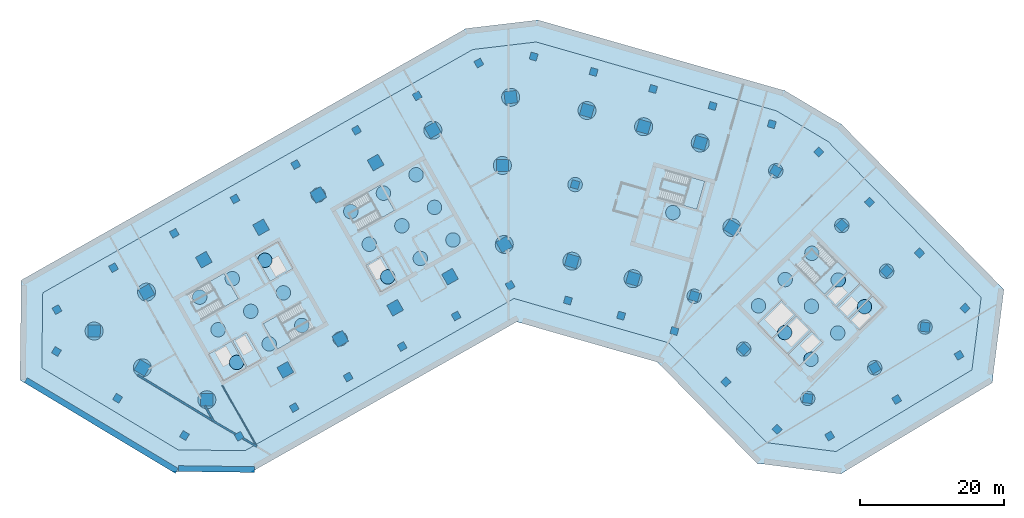
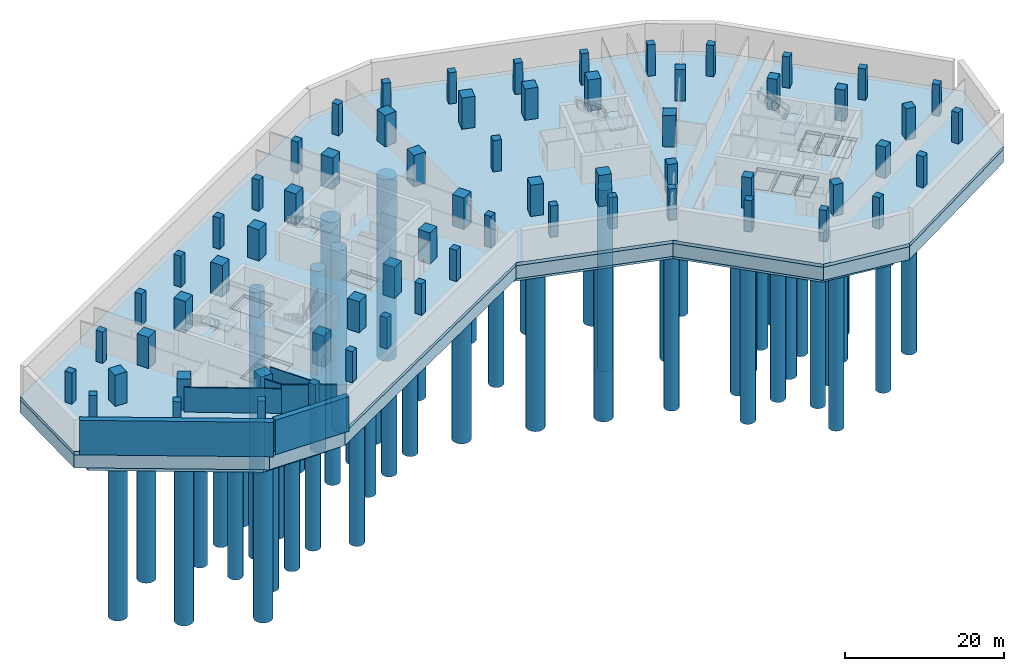
# One storey, part 1 of 11: 65 columns, 53 piles, 7 walls, 6 slabs, 2 footings, 5 elements without a shape of their own.
"""IFC4 building model written with IfcOpenShell, lengths in metres."""

from ifc_helpers import new_model, si_unit, direction, frame, frame_2d, origin, origin_2d, place, context, subcontext, project, spatial, polyline, rectangle, circle, outline, extrude, material, layer, layer_set, material_profile, profile_set, type_object, element, aggregate, save


model = new_model("IFC4")

# Units and contexts
model_context = context("Model", 3, precision=1e-05, world=origin(), true_north=direction((0.0, 1.0)))
body_context = subcontext(model_context, "Body", "Model", "MODEL_VIEW")
ifc_project = project(units=[si_unit("LENGTHUNIT", "METRE"), si_unit("AREAUNIT", "SQUARE_METRE"), si_unit("VOLUMEUNIT", "CUBIC_METRE"), si_unit("PLANEANGLEUNIT", "RADIAN"), si_unit("MASSUNIT", "GRAM", prefix="KILO")], contexts=[model_context])

# Site, building, storey
site_placement = place(None, origin())
site = spatial("IfcSite", under=ifc_project, at=site_placement, CompositionType="ELEMENT")
building_placement = place(site_placement, origin())
building = spatial("IfcBuilding", under=site, at=building_placement, Name="Binnacle Exchange Tower", CompositionType="ELEMENT")
storey_placement = place(building_placement, frame((0.0, 0.0, -9.60009765625)))
storey = spatial("IfcBuildingStorey", under=building, at=storey_placement, Name="B2", CompositionType="ELEMENT", Elevation=-9.60009765625)

# Piles
ifc_material_1 = material(Name="Concrete C40/50", Category="concrete")
ifc_material_profile_1 = material_profile(ifc_material_1, circle(Radius=1.0, at=origin_2d()), Name="Bored pile D2000")
ifc_profile_set_1 = profile_set([ifc_material_profile_1], Name="Concrete C40/50")
pile_type_1 = type_object("IfcPileType", Name="Bored pile D2000 Concrete C40/50", PredefinedType="BORED", material=ifc_profile_set_1)
for number, where, z_axis, x_axis, name in (
    (1, (9.240966796875, 57.35009765625, -5.0), (0.0, 0.0, -1.0), (1.0, 0.0, 0.0), "S:PI:P001"),
    (2, (-42.85009765625, 41.731201171875, -5.0), (0.0, 0.0, -1.0), (1.0, 0.0, 0.0), "S:PI:P002"),
    (3, (-40.289306640625, 37.205322265625, -5.0), (0.0, 0.0, -1.0), (1.0, 0.0, 0.0), "S:PI:P003"),
    (4, (-38.32421875, 44.291748046875, -5.0), (0.0, 0.0, -1.0), (1.0, 0.0, 0.0), "S:PI:P004"),
    (5, (-37.728759765625, 32.679443359375, -5.0), (0.0, 0.0, -1.0), (1.0, 0.0, 0.0), "S:PI:P005"),
    (6, (-35.763671875, 39.765869140625, -5.0), (0.0, 0.0, -1.0), (1.0, 0.0, 0.0), "S:PI:P006"),
    (7, (-33.79833984375, 46.852294921875, -5.0), (0.0, 0.0, -1.0), (1.0, 0.0, 0.0), "S:PI:P007"),
    (8, (-33.202880859375, 35.239990234375, -5.0), (0.0, 0.0, -1.0), (1.0, 0.0, 0.0), "S:PI:P008"),
    (9, (-31.23779296875, 42.326416015625, -5.0), (0.0, 0.0, -1.0), (1.0, 0.0, 0.0), "S:PI:P009"),
    (10, (-28.677001953125, 37.80078125, -5.0), (0.0, 0.0, -1.0), (1.0, 0.0, 0.0), "S:PI:P010"),
    (11, (34.684326171875, 40.524169921875, -5.0), (0.0, 0.0, -1.0), (1.0, 0.0, 0.0), "S:PI:P011"),
    (12, (38.3291015625, 36.815185546875, -5.0), (0.0, 0.0, -1.0), (1.0, 0.0, 0.0), "S:PI:P012"),
    (13, (38.393310546875, 44.168701171875, -5.0), (0.0, 0.0, -1.0), (1.0, 0.0, 0.0), "S:PI:P013"),
    (14, (41.9736328125, 33.106201171875, -5.0), (0.0, 0.0, -1.0), (1.0, 0.0, 0.0), "S:PI:P014"),
    (15, (42.037841796875, 40.4599609375, -5.0), (0.0, 0.0, -1.0), (1.0, 0.0, 0.0), "S:PI:P015"),
    (16, (42.10205078125, 47.8134765625, -5.0), (0.0, 0.0, -1.0), (1.0, 0.0, 0.0), "S:PI:P016"),
    (17, (45.6826171875, 36.7509765625, -5.0), (0.0, 0.0, -1.0), (1.0, 0.0, 0.0), "S:PI:P017"),
    (18, (45.746826171875, 44.1044921875, -5.0), (0.0, 0.0, -1.0), (1.0, 0.0, 0.0), "S:PI:P018"),
    (19, (49.3916015625, 40.395751953125, -5.0), (0.0, 0.0, -1.0), (1.0, 0.0, 0.0), "S:PI:P019"),
    (20, (-21.882568359375, 53.593994140625, -5.0), (0.0, 0.0, -1.0), (1.0, 0.0, 0.0), "S:PI:P020"),
    (21, (-19.322021484375, 49.068115234375, -5.0), (0.0, 0.0, -1.0), (1.0, 0.0, 0.0), "S:PI:P021"),
    (22, (-17.356689453125, 56.15478515625, -5.0), (0.0, 0.0, -1.0), (1.0, 0.0, 0.0), "S:PI:P022"),
    (23, (-16.76123046875, 44.542236328125, -5.0), (0.0, 0.0, -1.0), (1.0, 0.0, 0.0), "S:PI:P023"),
    (24, (-14.7958984375, 51.62890625, -5.0), (0.0, 0.0, -1.0), (1.0, 0.0, 0.0), "S:PI:P024"),
    (25, (-12.830810546875, 58.71533203125, -5.0), (0.0, 0.0, -1.0), (1.0, 0.0, 0.0), "S:PI:P025"),
    (26, (-12.2353515625, 47.10302734375, -5.0), (0.0, 0.0, -1.0), (1.0, 0.0, 0.0), "S:PI:P026"),
    (27, (-10.270263671875, 54.189453125, -5.0), (0.0, 0.0, -1.0), (1.0, 0.0, 0.0), "S:PI:P027"),
    (28, (-7.709716796875, 49.66357421875, -5.0), (0.0, 0.0, -1.0), (1.0, 0.0, 0.0), "S:PI:P028"),
    (29, (22.807373046875, 53.460205078125, -5.0), (0.0, 0.0, -1.0), (1.0, 0.0, 0.0), "S:PI:P029"),
    (30, (-23.35595703125, 35.9462890625, -5.0), (0.0, 0.0, -1.0), (1.0, 0.0, 0.0), "S:PI:P034"),
    (31, (-26.3876953125, 55.91015625, -5.0), (0.0, 0.0, -1.0), (1.0, 0.0, 0.0), "S:PI:P035"),
    (32, (25.766845703125, 41.85986328125, -5.0), (0.0, 0.0, -1.0), (1.0, 0.0, 0.0), "S:PI:P046"),
    (33, (37.0849609375, 59.262451171875, -5.0), (0.0, 0.0, -1.0), (1.0, 0.0, 0.0), "S:PI:P047"),
    (34, (46.248291015625, 51.667236328125, -5.0), (0.0, 0.0, -1.0), (1.0, 0.0, 0.0), "S:PI:P048"),
    (35, (32.64111328125, 34.530029296875, -5.0), (0.0, 0.0, -1.0), (1.0, 0.0, 0.0), "S:PI:P049"),
    (36, (52.466796875, 45.33935546875, -5.0), (0.0, 0.0, -1.0), (1.0, 0.0, 0.0), "S:PI:P050"),
    (37, (41.519775390625, 27.6748046875, -5.0), (0.0, 0.0, -1.0), (1.0, 0.0, 0.0), "S:PI:P051"),
    (38, (57.799072265625, 37.5810546875, -5.0), (0.0, 0.0, -1.0), (1.0, 0.0, 0.0), "S:PI:P052"),
    (39, (50.81201171875, 31.930908203125, -5.0), (0.0, 0.0, -1.0), (1.0, 0.0, 0.0), "S:PI:P053"),
):
    element("IfcPile", number, at=place(storey_placement, frame(where, z_axis=z_axis, x_axis=x_axis)), inside=storey, type_object=pile_type_1, Name=name, PredefinedType="BORED", context=body_context, shape_type="SweptSolid", body=[
        extrude(circle(Radius=1.0, at=origin_2d()), origin(), (0.0, 0.0, 1.0), 27.89990234375),
    ])
ifc_material_profile_2 = material_profile(ifc_material_1, circle(Radius=1.25, at=origin_2d()), Name="Bored pile D2500")
ifc_profile_set_2 = profile_set([ifc_material_profile_2], Name="Concrete C40/50")
pile_type_2 = type_object("IfcPileType", Name="Bored pile D2500 Concrete C40/50", PredefinedType="BORED", material=ifc_profile_set_2)
for number, where, z_axis, x_axis, name in (
    (40, (-50.81201171875, 31.930908203125, -5.0), (0.0, 0.0, -1.0), (1.0, 0.0, 0.0), "S:PI:P030"),
    (41, (-57.492919921875, 37.02734375, -5.0), (0.0, 0.0, -1.0), (1.0, 0.0, 0.0), "S:PI:P031"),
    (42, (-41.857666015625, 27.494873046875, -5.0), (0.0, 0.0, -1.0), (1.0, 0.0, 0.0), "S:PI:P032"),
    (43, (-50.226318359375, 42.4228515625, -5.0), (0.0, 0.0, -1.0), (1.0, 0.0, 0.0), "S:PI:P033"),
    (44, (-10.4951171875, 64.901611328125, -5.0), (0.0, 0.0, -1.0), (1.0, 0.0, 0.0), "S:PI:P036"),
    (45, (-0.85009765625, 60.0, -5.0), (0.0, 0.0, -1.0), (1.0, 0.0, 0.0), "S:PI:P037"),
    (46, (-0.5908203125, 49.04443359375, -5.0), (0.0, 0.0, -1.0), (1.0, 0.0, 0.0), "S:PI:P038"),
    (47, (0.300048828125, 69.464111328125, -5.0), (0.0, 0.0, -1.0), (1.0, 0.0, 0.0), "S:PI:P039"),
    (48, (10.889892578125, 67.62890625, -5.0), (0.0, 0.0, -1.0), (1.0, 0.0, 0.0), "S:PI:P040"),
    (49, (8.8095703125, 46.722412109375, -5.0), (0.0, 0.0, -1.0), (1.0, 0.0, 0.0), "S:PI:P041"),
    (50, (18.746337890625, 65.376220703125, -5.0), (0.0, 0.0, -1.0), (1.0, 0.0, 0.0), "S:PI:P042"),
    (51, (17.2880859375, 44.291015625, -5.0), (0.0, 0.0, -1.0), (1.0, 0.0, 0.0), "S:PI:P043"),
    (52, (26.602783203125, 63.12353515625, -5.0), (0.0, 0.0, -1.0), (1.0, 0.0, 0.0), "S:PI:P044"),
    (53, (30.989501953125, 51.38623046875, -5.0), (0.0, 0.0, -1.0), (1.0, 0.0, 0.0), "S:PI:P045"),
):
    element("IfcPile", number, at=place(storey_placement, frame(where, z_axis=z_axis, x_axis=x_axis)), inside=storey, type_object=pile_type_2, Name=name, PredefinedType="BORED", context=body_context, shape_type="SweptSolid", body=[
        extrude(circle(Radius=1.25, at=origin_2d()), origin(), (0.0, 0.0, 1.0), 27.89990234375),
    ])

# Footings
ifc_material_2 = material(Name="Concrete C45/55", Category="concrete")
ifc_layer_1 = layer(ifc_material_2, 2.0)
ifc_layer_set_1 = layer_set([ifc_layer_1], Name="Raft footing 2000 Concrete C45/55")
footing_type_1 = type_object("IfcFootingType", Name="Raft footing 2000 Concrete C45/55", PredefinedType="PAD_FOOTING", material=ifc_layer_set_1)
footing_1_placement = place(storey_placement, frame((0.0, 0.0, -2.5)))
element("IfcFooting", 54, at=footing_1_placement, inside=storey, type_object=footing_type_1, Name="S:FT:podium", PredefinedType="PAD_FOOTING", context=body_context, shape_type="SweptSolid", body=[
    extrude(outline(polyline([(68.74169921875, 42.773681640625), (67.093017578125, 29.81396484375), (46.104248046875, 17.20263671875), (34.458984375, 18.68408203125), (20.677734375, 32.7080078125), (1.147216796875, 38.308349609375), (-35.783203125, 17.414306640625), (-46.6943359375, 17.55712890625), (-67.782958984375, 30.228515625), (-67.601318359375, 44.093505859375), (-5.902099609375, 79.001220703125), (4.104736328125, 80.185791015625), (38.390380859375, 70.3544921875), (46.210205078125, 65.7021484375), (68.74169921875, 42.773681640625)]), holes=[polyline([(44.342529296875, 63.322509765625), (37.190185546875, 67.57763671875), (3.85791015625, 77.135498046875), (-4.9501953125, 76.093017578125), (-64.624267578125, 42.3310546875), (-64.760498046875, 31.912353515625), (-45.84423828125, 20.546142578125), (-36.5546875, 20.424560546875), (0.7646484375, 41.538818359375), (22.263916015625, 35.374267578125), (35.86962890625, 21.52880859375), (45.450927734375, 20.309814453125), (64.30078125, 31.635986328125), (65.582275390625, 41.708984375), (44.342529296875, 63.322509765625)])]), origin(), (0.0, 0.0, 1.0), 2.0),
])
ifc_layer_2 = layer(ifc_material_2, 4.5)
ifc_layer_set_2 = layer_set([ifc_layer_2], Name="Raft footing 4500 Concrete C45/55")
footing_type_2 = type_object("IfcFootingType", Name="Raft footing 4500 Concrete C45/55", PredefinedType="PAD_FOOTING", material=ifc_layer_set_2)
footing_2_placement = place(storey_placement, frame((0.0, 0.0, -5.0)))
element("IfcFooting", 55, at=footing_2_placement, inside=storey, type_object=footing_type_2, Name="S:FT:tower", PredefinedType="PAD_FOOTING", context=body_context, shape_type="SweptSolid", body=[
    extrude(outline(polyline([(65.582275390625, 41.708984375), (64.30078125, 31.635986328125), (45.450927734375, 20.309814453125), (35.86962890625, 21.52880859375), (22.263916015625, 35.374267578125), (0.7646484375, 41.538818359375), (-36.5546875, 20.424560546875), (-45.84423828125, 20.546142578125), (-64.760498046875, 31.912353515625), (-64.624267578125, 42.3310546875), (-4.9501953125, 76.093017578125), (3.85791015625, 77.135498046875), (37.190185546875, 67.57763671875), (44.342529296875, 63.322509765625), (65.582275390625, 41.708984375)])), origin(), (0.0, 0.0, 1.0), 4.5),
])

# Columns
ifc_material_3 = material(Name="Concrete C60/75", Category="concrete")
ifc_material_profile_3 = material_profile(ifc_material_3, rectangle(XDim=1.10009765625, YDim=1.10009765625, at=origin_2d()), Name="Column 1100x1100 C60/75")
ifc_profile_set_3 = profile_set([ifc_material_profile_3], Name="Concrete C60/75")
column_type_1 = type_object("IfcColumnType", Name="Column 1100x1100 C60/75", PredefinedType="COLUMN", material=ifc_profile_set_3)
column_placement = place(storey_placement, frame((9.240966796875, 57.35009765625, -0.5), z_axis=(0.0, 0.0, 1.0), x_axis=(0.961261695938, -0.275637355817, 0.0)))
element("IfcColumn", 56, at=column_placement, inside=storey, type_object=column_type_1, Name="S:COL:C19:B2", PredefinedType="COLUMN", context=body_context, shape_type="SweptSolid", body=[
    extrude(rectangle(XDim=1.10009765625, YDim=1.10009765625, at=origin_2d()), origin(), (0.0, 0.0, 1.0), 5.300048828125),
])
ifc_material_4 = material(Name="Concrete C70/85", Category="concrete")
ifc_material_profile_4 = material_profile(ifc_material_4, rectangle(XDim=1.300048828125, YDim=1.300048828125, at=origin_2d()), Name="Mega column 1300x1300 C70/85")
ifc_profile_set_4 = profile_set([ifc_material_profile_4], Name="Concrete C70/85")
column_type_2 = type_object("IfcColumnType", Name="Mega column 1300x1300 C70/85", PredefinedType="COLUMN", material=ifc_profile_set_4)
for number, where, z_axis, x_axis, name in (
    (57, (37.0849609375, 59.262451171875, -0.5), (0.0, 0.0, 1.0), (-0.859406411501, 0.511293086077, 0.0), "S:COL:MC57:B2"),
    (58, (25.766845703125, 41.85986328125, -0.5), (0.0, 0.0, 1.0), (0.961261695938, -0.275637355817, 0.0), "S:COL:MC56:B2"),
    (59, (32.64111328125, 34.530029296875, -0.5), (0.0, 0.0, 1.0), (0.7009092643, -0.713250449154, 0.0), "S:COL:MC59:B2"),
    (60, (41.519775390625, 27.6748046875, -0.5), (0.0, 0.0, 1.0), (0.99200494968, -0.126198969136, 0.0), "S:COL:MC61:B2"),
    (61, (50.81201171875, 31.930908203125, -0.5), (0.0, 0.0, 1.0), (0.857167300702, 0.51503807491, 0.0), "S:COL:MC63:B2"),
    (62, (57.799072265625, 37.5810546875, -0.5), (0.0, 0.0, 1.0), (0.126198969136, 0.99200494968, 0.0), "S:COL:MC62:B2"),
    (63, (52.466796875, 45.33935546875, -0.5), (0.0, 0.0, 1.0), (-0.7009092643, 0.713250449154, 0.0), "S:COL:MC60:B2"),
    (64, (46.248291015625, 51.667236328125, -0.5), (0.0, 0.0, 1.0), (-0.7009092643, 0.713250449154, 0.0), "S:COL:MC58:B2"),
):
    element("IfcColumn", number, at=place(storey_placement, frame(where, z_axis=z_axis, x_axis=x_axis)), inside=storey, type_object=column_type_2, Name=name, PredefinedType="COLUMN", context=body_context, shape_type="SweptSolid", body=[
        extrude(rectangle(XDim=1.300048828125, YDim=1.300048828125, at=origin_2d()), origin(), (0.0, 0.0, 1.0), 5.300048828125),
    ])
ifc_material_profile_5 = material_profile(ifc_material_4, rectangle(XDim=1.699951171875, YDim=1.699951171875, at=origin_2d()), Name="Mega column 1700x1700 C70/85")
ifc_profile_set_5 = profile_set([ifc_material_profile_5], Name="Concrete C70/85")
column_type_3 = type_object("IfcColumnType", Name="Mega column 1700x1700 C70/85", PredefinedType="COLUMN", material=ifc_profile_set_5)
for number, where, z_axis, x_axis, name in (
    (65, (26.602783203125, 63.12353515625, -0.5), (0.0, 0.0, 1.0), (-0.961261695938, 0.275637355817, 0.0), "S:COL:MC52:B2"),
    (66, (18.746337890625, 65.376220703125, -0.5), (0.0, 0.0, 1.0), (-0.961261695938, 0.275637355817, 0.0), "S:COL:MC50:B2"),
    (67, (10.889892578125, 67.62890625, -0.5), (0.0, 0.0, 1.0), (-0.961261695938, 0.275637355817, 0.0), "S:COL:MC48:B2"),
    (68, (0.300048828125, 69.464111328125, -0.5), (0.0, 0.0, 1.0), (-0.993068456955, -0.117537397458, 0.0), "S:COL:MC47:B2"),
    (69, (-10.4951171875, 64.901611328125, -0.5), (0.0, 0.0, 1.0), (-0.87035569594, -0.492423560103, 0.0), "S:COL:MC38:B2"),
    (70, (-18.44140625, 60.406005859375, -0.5), (0.0, 0.0, 1.0), (-0.87035569594, -0.492423560103, 0.0), "S:COL:MC29:B2"),
    (71, (-26.3876953125, 55.91015625, -0.5), (0.0, 0.0, 1.0), (-0.87035569594, -0.492423560103, 0.0), "S:COL:MC21:B2"),
    (72, (-34.333740234375, 51.414306640625, -0.5), (0.0, 0.0, 1.0), (-0.87035569594, -0.492423560103, 0.0), "S:COL:MC13:B2"),
    (73, (-42.280029296875, 46.918701171875, -0.5), (0.0, 0.0, 1.0), (-0.87035569594, -0.492423560103, 0.0), "S:COL:MC08:B2"),
    (74, (-50.226318359375, 42.4228515625, -0.5), (0.0, 0.0, 1.0), (-0.87035569594, -0.492423560103, 0.0), "S:COL:MC04:B2"),
    (75, (-57.492919921875, 37.02734375, -0.5), (0.0, 0.0, 1.0), (-0.013089595571, -0.999914327574, 0.0), "S:COL:MC02:B2"),
    (76, (-50.81201171875, 31.930908203125, -0.5), (0.0, 0.0, 1.0), (0.857167300702, -0.51503807491, 0.0), "S:COL:MC01:B2"),
    (77, (-41.857666015625, 27.494873046875, -0.5), (0.0, 0.0, 1.0), (0.999914327574, -0.013089595571, 0.0), "S:COL:MC03:B2"),
    (78, (-30.9755859375, 31.63525390625, -0.5), (0.0, 0.0, 1.0), (0.87035569594, 0.492423560103, 0.0), "S:COL:MC07:B2"),
    (79, (-23.35595703125, 35.9462890625, -0.5), (0.0, 0.0, 1.0), (0.87035569594, 0.492423560103, 0.0), "S:COL:MC16:B2"),
    (80, (-15.736328125, 40.257080078125, -0.5), (0.0, 0.0, 1.0), (0.87035569594, 0.492423560103, 0.0), "S:COL:MC24:B2"),
    (81, (-8.116943359375, 44.568115234375, -0.5), (0.0, 0.0, 1.0), (0.87035569594, 0.492423560103, 0.0), "S:COL:MC35:B2"),
    (82, (-0.5908203125, 49.04443359375, -0.5), (0.0, 0.0, 1.0), (0.87035569594, 0.492423560103, 0.0), "S:COL:MC46:B2"),
    (83, (8.8095703125, 46.722412109375, -0.5), (0.0, 0.0, 1.0), (0.961261695938, -0.275637355817, 0.0), "S:COL:MC49:B2"),
    (84, (17.2880859375, 44.291015625, -0.5), (0.0, 0.0, 1.0), (0.961261695938, -0.275637355817, 0.0), "S:COL:MC51:B2"),
    (85, (30.989501953125, 51.38623046875, -0.5), (0.0, 0.0, 1.0), (0.529919264233, 0.848048096156, 0.0), "S:COL:MC55:B2"),
    (86, (-0.85009765625, 60.0, -0.5), (0.0, 0.0, 1.0), (0.0, 1.0, 0.0), "S:COL:MC45:B2"),
):
    element("IfcColumn", number, at=place(storey_placement, frame(where, z_axis=z_axis, x_axis=x_axis)), inside=storey, type_object=column_type_3, Name=name, PredefinedType="COLUMN", context=body_context, shape_type="SweptSolid", body=[
        extrude(rectangle(XDim=1.699951171875, YDim=1.699951171875, at=origin_2d()), origin(), (0.0, 0.0, 1.0), 5.300048828125),
    ])
ifc_material_5 = material(Name="Concrete C50/60", Category="concrete")
ifc_material_profile_6 = material_profile(ifc_material_5, rectangle(XDim=1.0, YDim=1.0, at=origin_2d()), Name="Podium column 1000x1000 C50/60")
ifc_profile_set_6 = profile_set([ifc_material_profile_6], Name="Concrete C50/60")
column_type_4 = type_object("IfcColumnType", Name="Podium column 1000x1000 C50/60", PredefinedType="COLUMN", material=ifc_profile_set_6)
for number, where, z_axis, x_axis, name in (
    (87, (36.5283203125, 65.739013671875, -0.5), (0.0, 0.0, 1.0), (-0.961261695938, 0.275637355817, 0.0), "S:COL:C25:B2"),
    (88, (28.31591796875, 68.249755859375, -0.5), (0.0, 0.0, 1.0), (-0.961261695938, 0.275637355817, 0.0), "S:COL:C24:B2"),
    (89, (20.0625, 70.616455078125, -0.5), (0.0, 0.0, 1.0), (-0.961261695938, 0.275637355817, 0.0), "S:COL:C22:B2"),
    (90, (11.808837890625, 72.983154296875, -0.5), (0.0, 0.0, 1.0), (-0.961261695938, 0.275637355817, 0.0), "S:COL:C20:B2"),
    (91, (3.486083984375, 75.109619140625, -0.5), (0.0, 0.0, 1.0), (-0.961261695938, 0.275637355817, 0.0), "S:COL:C18:B2"),
    (92, (-4.115966796875, 74.209716796875, -0.5), (0.0, 0.0, 1.0), (-0.87035569594, -0.492423560103, 0.0), "S:COL:C16:B2"),
    (93, (-12.66748046875, 69.65869140625, -0.5), (0.0, 0.0, 1.0), (-0.87035569594, -0.492423560103, 0.0), "S:COL:C15:B2"),
    (94, (-21.095703125, 64.89013671875, -0.5), (0.0, 0.0, 1.0), (-0.87035569594, -0.492423560103, 0.0), "S:COL:C13:B2"),
    (95, (-29.524169921875, 60.12158203125, -0.5), (0.0, 0.0, 1.0), (-0.87035569594, -0.492423560103, 0.0), "S:COL:C11:B2"),
    (96, (-37.95263671875, 55.35302734375, -0.5), (0.0, 0.0, 1.0), (-0.87035569594, -0.492423560103, 0.0), "S:COL:C10:B2"),
    (97, (-46.381103515625, 50.58447265625, -0.5), (0.0, 0.0, 1.0), (-0.87035569594, -0.492423560103, 0.0), "S:COL:C08:B2"),
    (98, (-54.8095703125, 45.81591796875, -0.5), (0.0, 0.0, 1.0), (-0.87035569594, -0.492423560103, 0.0), "S:COL:C06:B2"),
    (99, (-62.64697265625, 40.0029296875, -0.5), (0.0, 0.0, 1.0), (-0.87035569594, -0.492423560103, 0.0), "S:COL:C05:B2"),
    (100, (-62.722900390625, 34.18798828125, -0.5), (0.0, 0.0, 1.0), (0.857167300702, -0.51503807491, 0.0), "S:COL:C03:B2"),
    (101, (-54.244873046875, 27.69384765625, -0.5), (0.0, 0.0, 1.0), (0.857167300702, -0.51503807491, 0.0), "S:COL:C02:B2"),
    (102, (-44.968505859375, 22.5283203125, -0.5), (0.0, 0.0, 1.0), (0.857167300702, -0.51503807491, 0.0), "S:COL:C01:B2"),
    (103, (-37.378173828125, 22.428955078125, -0.5), (0.0, 0.0, 1.0), (0.87035569594, 0.492423560103, 0.0), "S:COL:C04:B2"),
    (104, (-29.740478515625, 26.4052734375, -0.5), (0.0, 0.0, 1.0), (0.87035569594, 0.492423560103, 0.0), "S:COL:C07:B2"),
    (105, (-22.250732421875, 30.642822265625, -0.5), (0.0, 0.0, 1.0), (0.87035569594, 0.492423560103, 0.0), "S:COL:C09:B2"),
    (106, (-14.760986328125, 34.88037109375, -0.5), (0.0, 0.0, 1.0), (0.87035569594, 0.492423560103, 0.0), "S:COL:C12:B2"),
    (107, (-7.27099609375, 39.117919921875, -0.5), (0.0, 0.0, 1.0), (0.87035569594, 0.492423560103, 0.0), "S:COL:C14:B2"),
    (108, (0.21875, 43.35546875, -0.5), (0.0, 0.0, 1.0), (0.87035569594, 0.492423560103, 0.0), "S:COL:C17:B2"),
    (109, (8.242919921875, 41.26708984375, -0.5), (0.0, 0.0, 1.0), (0.961261695938, -0.275637355817, 0.0), "S:COL:C21:B2"),
    (110, (15.6279296875, 39.1494140625, -0.5), (0.0, 0.0, 1.0), (0.961261695938, -0.275637355817, 0.0), "S:COL:C23:B2"),
    (111, (23.01318359375, 37.031982421875, -0.5), (0.0, 0.0, 1.0), (0.961261695938, -0.275637355817, 0.0), "S:COL:C26:B2"),
    (112, (30.17236328125, 29.9658203125, -0.5), (0.0, 0.0, 1.0), (0.7009092643, -0.713250449154, 0.0), "S:COL:C29:B2"),
    (113, (37.26708984375, 23.38818359375, -0.5), (0.0, 0.0, 1.0), (0.7009092643, -0.713250449154, 0.0), "S:COL:C32:B2"),
    (114, (44.563720703125, 22.4599609375, -0.5), (0.0, 0.0, 1.0), (0.857167300702, 0.51503807491, 0.0), "S:COL:C35:B2"),
    (115, (53.86376953125, 27.52294921875, -0.5), (0.0, 0.0, 1.0), (0.857167300702, 0.51503807491, 0.0), "S:COL:C34:B2"),
    (116, (62.52001953125, 33.65771484375, -0.5), (0.0, 0.0, 1.0), (0.857167300702, 0.51503807491, 0.0), "S:COL:C33:B2"),
    (117, (63.35205078125, 40.197509765625, -0.5), (0.0, 0.0, 1.0), (-0.7009092643, 0.713250449154, 0.0), "S:COL:C31:B2"),
    (118, (57.02197265625, 47.8515625, -0.5), (0.0, 0.0, 1.0), (-0.7009092643, 0.713250449154, 0.0), "S:COL:C30:B2"),
    (119, (50.085693359375, 54.91015625, -0.5), (0.0, 0.0, 1.0), (-0.7009092643, 0.713250449154, 0.0), "S:COL:C28:B2"),
    (120, (43.04248046875, 61.86328125, -0.5), (0.0, 0.0, 1.0), (-0.7009092643, 0.713250449154, 0.0), "S:COL:C27:B2"),
):
    element("IfcColumn", number, at=place(storey_placement, frame(where, z_axis=z_axis, x_axis=x_axis)), inside=storey, type_object=column_type_4, Name=name, PredefinedType="COLUMN", context=body_context, shape_type="SweptSolid", body=[
        extrude(rectangle(XDim=1.0, YDim=1.0, at=origin_2d()), origin(), (0.0, 0.0, 1.0), 5.300048828125),
    ])

# Slab
ifc_material_6 = material(Name="Concrete C35/45", Category="concrete")
ifc_layer_3 = layer(ifc_material_6, 0.5)
ifc_layer_set_3 = layer_set([ifc_layer_3], Name="Base slab 500 Concrete C35/45")
slab_type_1 = type_object("IfcSlabType", Name="Base slab 500 Concrete C35/45", PredefinedType="BASESLAB", material=ifc_layer_set_3)
slab_1_placement = place(storey_placement, frame((0.0, 0.0, -0.5)))
element("IfcSlab", 121, at=slab_1_placement, inside=storey, type_object=slab_type_1, Name="S:SL:B2:01", PredefinedType="BASESLAB", context=body_context, shape_type="SweptSolid", body=[
    extrude(outline(polyline([(68.74169921875, 42.773681640625), (67.093017578125, 29.81396484375), (46.104248046875, 17.20263671875), (34.458984375, 18.68408203125), (20.677734375, 32.7080078125), (1.147216796875, 38.308349609375), (-35.783203125, 17.414306640625), (-46.6943359375, 17.55712890625), (-67.782958984375, 30.228515625), (-67.601318359375, 44.093505859375), (-5.902099609375, 79.001220703125), (4.104736328125, 80.185791015625), (38.390380859375, 70.3544921875), (46.210205078125, 65.7021484375), (68.74169921875, 42.773681640625)]), holes=[polyline([(-38.4794921875, 35.529296875), (-41.61279296875, 33.756591796875), (-39.544677734375, 30.10107421875), (-36.411376953125, 31.873779296875), (-38.4794921875, 35.529296875)]), polyline([(-36.390625, 36.711181640625), (-38.21826171875, 35.677001953125), (-36.150146484375, 32.021484375), (-34.322509765625, 33.0556640625), (-36.390625, 36.711181640625)]), polyline([(43.549560546875, 35.426025390625), (42.07763671875, 36.923828125), (38.796875, 33.69970703125), (40.268798828125, 32.201904296875), (43.549560546875, 35.426025390625)]), polyline([(38.58642578125, 33.913818359375), (41.867431640625, 37.137939453125), (39.97509765625, 39.063720703125), (36.694091796875, 35.83935546875), (38.58642578125, 33.913818359375)]), polyline([(36.48388671875, 36.053466796875), (39.7646484375, 39.277587890625), (37.872314453125, 41.203369140625), (34.59130859375, 37.979248046875), (36.48388671875, 36.053466796875)]), polyline([(52.0078125, 40.372802734375), (50.577880859375, 41.827880859375), (47.296875, 38.603759765625), (48.726806640625, 37.148681640625), (52.0078125, 40.372802734375)]), polyline([(50.36767578125, 42.0419921875), (48.944580078125, 43.48974609375), (45.663818359375, 40.265625), (47.086669921875, 38.817626953125), (50.36767578125, 42.0419921875)]), polyline([(48.734375, 43.703857421875), (47.3115234375, 45.151611328125), (44.030517578125, 41.927490234375), (45.45361328125, 40.4794921875), (48.734375, 43.703857421875)]), polyline([(-15.53076171875, 43.6875), (-17.598876953125, 47.343017578125), (-19.77490234375, 46.11181640625), (-17.70654296875, 42.456298828125), (-15.53076171875, 43.6875)]), polyline([(-29.914306640625, 45.775390625), (-31.982666015625, 49.430908203125), (-35.115966796875, 47.657958984375), (-33.047607421875, 44.00244140625), (-29.914306640625, 45.775390625)])]), origin(), (0.0, 0.0, 1.0), 0.5),
])

# Stair, slab
stair_type = type_object("IfcStairType", Name="STAIR 28 RISERS 171", PredefinedType="HALF_TURN_STAIR", material=ifc_material_6)
stair_1_placement = place(storey_placement, origin())
stair_1 = element("IfcStair", 122, at=stair_1_placement, inside=storey, type_object=stair_type, Name="B2 Escape stair A1", PredefinedType="HALF_TURN_STAIR")
ifc_layer_4 = layer(ifc_material_6, 0.199951171875)
ifc_layer_set_4 = layer_set([ifc_layer_4], Name="STAIR LANDING 200")
slab_type_2 = type_object("IfcSlabType", Name="STAIR LANDING 200", PredefinedType="LANDING", material=ifc_layer_set_4)
slab_2_placement = place(storey_placement, frame((0.0, 0.0, 2.2001953125)))
slab_2 = element("IfcSlab", 123, at=slab_2_placement, type_object=slab_type_2, Name="STA1 landing 1", PredefinedType="LANDING", context=body_context, shape_type="SweptSolid", body=[
    extrude(outline(polyline([(-39.470947265625, 40.368408203125), (-37.486572265625, 41.4912109375), (-39.48095703125, 45.01611328125), (-41.46533203125, 43.893310546875), (-39.470947265625, 40.368408203125)])), origin(), (0.0, 0.0, 1.0), 0.199951171875),
])
aggregate(stair_1, [slab_2])

stair_2_placement = place(storey_placement, origin())
stair_2 = element("IfcStair", 124, at=stair_2_placement, inside=storey, type_object=stair_type, Name="B2 Escape stair A2", PredefinedType="HALF_TURN_STAIR")
slab_3_placement = place(storey_placement, frame((0.0, 0.0, 2.2001953125)))
slab_3 = element("IfcSlab", 125, at=slab_3_placement, type_object=slab_type_2, Name="STA2 landing 1", PredefinedType="LANDING", context=body_context, shape_type="SweptSolid", body=[
    extrude(outline(polyline([(-32.05615234375, 39.163330078125), (-34.040771484375, 38.04052734375), (-32.04638671875, 34.515625), (-30.06201171875, 35.638427734375), (-32.05615234375, 39.163330078125)])), origin(), (0.0, 0.0, 1.0), 0.199951171875),
])
aggregate(stair_2, [slab_3])

stair_3_placement = place(storey_placement, origin())
stair_3 = element("IfcStair", 126, at=stair_3_placement, inside=storey, type_object=stair_type, Name="B2 Escape stair B1", PredefinedType="HALF_TURN_STAIR")
slab_4_placement = place(storey_placement, frame((0.0, 0.0, 2.2001953125)))
slab_4 = element("IfcSlab", 127, at=slab_4_placement, type_object=slab_type_2, Name="STB1 landing 1", PredefinedType="LANDING", context=body_context, shape_type="SweptSolid", body=[
    extrude(outline(polyline([(42.4326171875, 43.5537109375), (43.8203125, 42.141357421875), (46.994384765625, 45.260498046875), (45.606689453125, 46.672607421875), (42.4326171875, 43.5537109375)])), origin(), (0.0, 0.0, 1.0), 0.199951171875),
])
aggregate(stair_3, [slab_4])

stair_4_placement = place(storey_placement, origin())
stair_4 = element("IfcStair", 128, at=stair_4_placement, inside=storey, type_object=stair_type, Name="B2 Escape stair C1", PredefinedType="HALF_TURN_STAIR")
slab_5_placement = place(storey_placement, frame((0.0, 0.0, 2.2001953125)))
slab_5 = element("IfcSlab", 129, at=slab_5_placement, type_object=slab_type_2, Name="STC1 landing 1", PredefinedType="LANDING", context=body_context, shape_type="SweptSolid", body=[
    extrude(outline(polyline([(-17.6328125, 52.7236328125), (-15.822509765625, 53.748046875), (-17.81689453125, 57.27294921875), (-19.627197265625, 56.248779296875), (-17.6328125, 52.7236328125)])), origin(), (0.0, 0.0, 1.0), 0.199951171875),
])
aggregate(stair_4, [slab_5])

stair_5_placement = place(storey_placement, origin())
stair_5 = element("IfcStair", 130, at=stair_5_placement, inside=storey, type_object=stair_type, Name="B2 Escape stair D1", PredefinedType="HALF_TURN_STAIR")
slab_6_placement = place(storey_placement, frame((0.0, 0.0, 2.2001953125)))
slab_6 = element("IfcSlab", 131, at=slab_6_placement, type_object=slab_type_2, Name="STD1 landing 1", PredefinedType="LANDING", context=body_context, shape_type="SweptSolid", body=[
    extrude(outline(polyline([(24.2080078125, 54.462890625), (26.111328125, 53.917236328125), (27.227783203125, 57.810302734375), (25.324462890625, 58.35595703125), (24.2080078125, 54.462890625)])), origin(), (0.0, 0.0, 1.0), 0.199951171875),
])
aggregate(stair_5, [slab_6])

# Walls
ifc_layer_5 = layer(ifc_material_1, 0.800048828125)
ifc_layer_set_5 = layer_set([ifc_layer_5], Name="Basement retaining wall 800 Concrete C40/50")
wall_type_1 = type_object("IfcWallType", Name="Basement retaining wall 800 Concrete C40/50", PredefinedType="SOLIDWALL", material=ifc_layer_set_5)
wall_1_placement = place(storey_placement, frame((-66.97265625, 30.208251953125, -0.5), z_axis=(0.0, 0.0, 1.0), x_axis=(0.85716750858, -0.515037728943, 0.0)))
element("IfcWall", 132, at=wall_1_placement, inside=storey, type_object=wall_type_1, Name="S:RW:B2:06", PredefinedType="SOLIDWALL", context=body_context, shape_type="SweptSolid", body=[
    extrude(rectangle(XDim=24.439697265625, YDim=0.800048828125, at=frame_2d((12.2197265625, 0.0))), origin(), (0.0, 0.0, 1.0), 5.300048828125),
])
wall_2_placement = place(storey_placement, frame((-45.805908203125, 17.945556640625, -0.5), z_axis=(0.0, 0.0, 1.0), x_axis=(0.999914251835, -0.013095379979, 0.0)))
element("IfcWall", 133, at=wall_2_placement, inside=storey, type_object=wall_type_1, Name="S:RW:B2:07", PredefinedType="SOLIDWALL", context=body_context, shape_type="SweptSolid", body=[
    extrude(rectangle(XDim=10.57080078125, YDim=0.800048828125, at=frame_2d((5.285400390625, 0.0))), origin(), (0.0, 0.0, 1.0), 5.300048828125),
])
ifc_material_7 = material(Name="Masonry block wall", Category="masonry")
ifc_layer_6 = layer(ifc_material_7, 0.199951171875)
ifc_layer_set_6 = layer_set([ifc_layer_6], Name="Fire wall - block 200")
wall_type_2 = type_object("IfcWallType", Name="Fire wall - block 200", PredefinedType="PARTITIONING", material=ifc_layer_set_6)
wall_3_placement = place(storey_placement, frame((-51.429931640625, 30.902099609375, 0.0), z_axis=(0.0, 0.0, 1.0), x_axis=(0.85415757912, -0.52001425945, 0.0)))
element("IfcWall", 134, at=wall_3_placement, inside=storey, type_object=wall_type_2, Name="Partition W03", PredefinedType="PARTITIONING", context=body_context, shape_type="SweptSolid", body=[
    extrude(rectangle(XDim=12.311279296875, YDim=0.199951171875, at=frame_2d((6.15576171875, 0.0))), origin(), (0.0, 0.0, 1.0), 3.76806640625),
])
wall_4_placement = place(storey_placement, frame((-42.12890625, 26.64794921875, 0.0), z_axis=(0.0, 0.0, 1.0), x_axis=(0.492298479406, -0.87042645133, 0.0)))
element("IfcWall", 135, at=wall_4_placement, inside=storey, type_object=wall_type_2, Name="Partition W07", PredefinedType="PARTITIONING", context=body_context, shape_type="SweptSolid", body=[
    extrude(rectangle(XDim=2.4677734375, YDim=0.199951171875, at=frame_2d((1.23388671875, 0.0))), origin(), (0.0, 0.0, 1.0), 4.400146484375),
])
wall_5_placement = place(storey_placement, frame((-40.9140625, 24.5, 0.0), z_axis=(0.0, 0.0, 1.0), x_axis=(0.863869354875, -0.503715929575, 0.0)))
element("IfcWall", 136, at=wall_5_placement, inside=storey, type_object=wall_type_2, Name="Partition W08", PredefinedType="PARTITIONING", context=body_context, shape_type="SweptSolid", body=[
    extrude(rectangle(XDim=3.523681640625, YDim=0.199951171875, at=frame_2d((1.76171875, 0.0))), origin(), (0.0, 0.0, 1.0), 4.400146484375),
])
wall_6_placement = place(storey_placement, frame((-36.868896484375, 22.14208984375, 0.0), z_axis=(0.0, 0.0, 1.0), x_axis=(0.863923586103, -0.503622911884, 0.0)))
element("IfcWall", 137, at=wall_6_placement, inside=storey, type_object=wall_type_2, Name="Partition W10", PredefinedType="PARTITIONING", context=body_context, shape_type="SweptSolid", body=[
    extrude(rectangle(XDim=2.263916015625, YDim=0.199951171875, at=frame_2d((1.1318359375, 0.0))), origin(), (0.0, 0.0, 1.0), 4.400146484375),
])
ifc_material_8 = material(Name="Gypsum partition")
ifc_layer_7 = layer(ifc_material_8, 0.125)
ifc_layer_set_7 = layer_set([ifc_layer_7], Name="Partition 125")
wall_type_3 = type_object("IfcWallType", Name="Partition 125", PredefinedType="PARTITIONING", material=ifc_layer_set_7)
wall_7_placement = place(storey_placement, frame((-39.715087890625, 29.488037109375, 0.0), z_axis=(0.0, 0.0, 1.0), x_axis=(0.492486226821, -0.870320237839, 0.0)))
element("IfcWall", 138, at=wall_7_placement, inside=storey, type_object=wall_type_3, Name="Partition W09", PredefinedType="PARTITIONING", context=body_context, shape_type="SweptSolid", body=[
    extrude(rectangle(XDim=9.75048828125, YDim=0.125, at=frame_2d((4.875244140625, 0.0))), origin(), (0.0, 0.0, 1.0), 3.672119140625),
])

save(model, "model.ifc")
